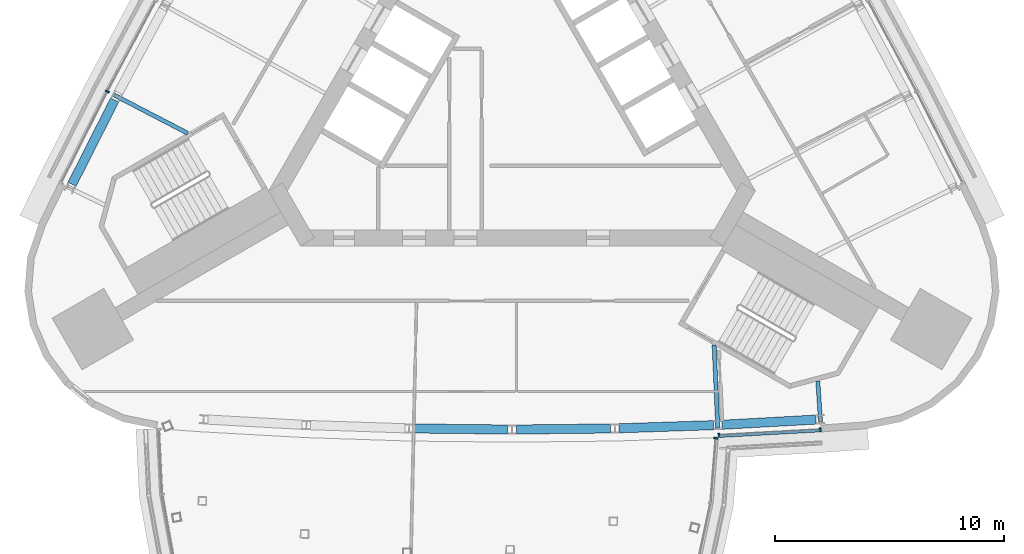
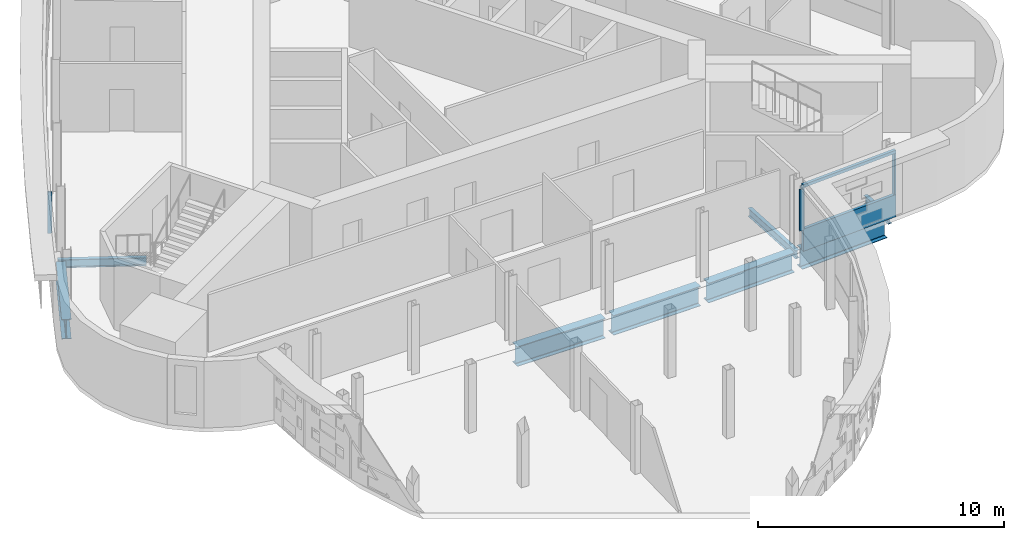
# One storey, part 4 of 14: 8 beams, 6 members, 3 elements without a shape of their own.
"""IFC4 building model written with IfcOpenShell, lengths in metres."""

from ifc_helpers import new_model, si_unit, direction, frame, origin, origin_2d, place, context, subcontext, project, spatial, polyline, rectangle, i_section, outline, extrude, material, material_profile, profile_set, type_object, element, aggregate, save


model = new_model("IFC4")

# Units and contexts
model_context = context("Model", 3, precision=1e-05, world=origin(), true_north=direction((0.0, 1.0)))
body_context = subcontext(model_context, "Body", "Model", "MODEL_VIEW")
ifc_project = project(units=[si_unit("LENGTHUNIT", "METRE"), si_unit("AREAUNIT", "SQUARE_METRE"), si_unit("VOLUMEUNIT", "CUBIC_METRE"), si_unit("PLANEANGLEUNIT", "RADIAN"), si_unit("MASSUNIT", "GRAM", prefix="KILO")], contexts=[model_context])

# Site, building, storey
site_placement = place(None, origin())
site = spatial("IfcSite", under=ifc_project, at=site_placement, CompositionType="ELEMENT")
building_placement = place(site_placement, origin())
building = spatial("IfcBuilding", under=site, at=building_placement, Name="Noor Cloister Tower", CompositionType="ELEMENT")
storey_placement = place(building_placement, frame((0.0, 0.0, 214.800048828125)))
storey = spatial("IfcBuildingStorey", under=building, at=storey_placement, Name="L55", CompositionType="ELEMENT", Elevation=214.800048828125)

# Beams
ifc_material_1 = material(Name="Steel ASTM A992 Gr 50", Category="steel")
ifc_material_profile_1 = material_profile(ifc_material_1, i_section(OverallWidth=0.40087890625, OverallDepth=0.98291015625, WebThickness=0.0166015625, FlangeThickness=0.027099609375, FilletRadius=0.030029296875, at=origin_2d()), Name="W1000x296")
ifc_profile_set_1 = profile_set([ifc_material_profile_1], Name="Steel ASTM A992 Gr 50")
beam_type_1 = type_object("IfcBeamType", Name="Belt chord girder W1000x296", PredefinedType="BEAM", material=ifc_profile_set_1)
beam_1_placement = place(storey_placement, frame((-17.33740234375, -0.566162109375, -0.691650390625), z_axis=(-0.451362231773, -0.892340818146, 0.0), x_axis=(0.892340818146, -0.451362231773, 0.0)))
element("IfcBeam", 1, at=beam_1_placement, inside=storey, type_object=beam_type_1, Name="Spandrel beam NW 06 L55", PredefinedType="BEAM", context=body_context, shape_type="SweptSolid", body=[
    extrude(i_section(OverallWidth=0.40087890625, OverallDepth=0.98291015625, WebThickness=0.0166015625, FlangeThickness=0.027099609375, FilletRadius=0.030029296875, at=origin_2d()), origin(), (0.0, 0.0, 1.0), 4.114501953125),
])
for number, where, z_axis, x_axis, name in (
    (2, (-4.301025390625, -14.892822265625, -0.691650390625), (0.999938445661, -0.011095264305, 0.0), (0.011095264305, 0.999938445661, 0.0), "Spandrel beam S 03 L55"),
    (3, (0.1865234375, -14.9384765625, -0.691650390625), (0.999938445661, 0.011095264305, 0.0), (-0.011095264305, 0.999938445661, 0.0), "Spandrel beam S 04 L55"),
    (4, (4.673828125, -14.884765625, -0.691650390625), (0.999447866334, 0.033225930849, 0.0), (-0.033225930849, 0.999447866334, 0.0), "Spandrel beam S 05 L55"),
    (5, (9.158935546875, -14.7314453125, -0.691650390625), (0.998469831997, 0.055299137356, 0.0), (-0.055299137356, 0.998469831997, 0.0), "Spandrel beam S 06 L55"),
):
    element("IfcBeam", number, at=place(storey_placement, frame(where, z_axis=z_axis, x_axis=x_axis)), inside=storey, type_object=beam_type_1, Name=name, PredefinedType="BEAM", context=body_context, shape_type="SweptSolid", body=[
        extrude(i_section(OverallWidth=0.40087890625, OverallDepth=0.98291015625, WebThickness=0.0166015625, FlangeThickness=0.027099609375, FilletRadius=0.030029296875, at=origin_2d()), origin(), (0.0, 0.0, 1.0), 4.11474609375),
    ])

# Curtain wall, member
ifc_material_2 = material(Name="Aluminium 6063-T6 anodised", Category="aluminium")
curtain_wall_type_1 = type_object("IfcCurtainWallType", Name="Ribbon curtain wall, upper tower CW5", PredefinedType="NOTDEFINED", material=ifc_material_2)
curtain_wall_1_placement = place(storey_placement, origin())
curtain_wall_1 = element("IfcCurtainWall", 6, at=curtain_wall_1_placement, inside=storey, type_object=curtain_wall_type_1, Name="CW5 L55 S run 3", PredefinedType="NOTDEFINED")
ifc_material_3 = material(Name="Aluminium 6063-T6 anodised", Category="aluminium")
member_type_1 = type_object("IfcMemberType", Name="Head transom CW5 150", PredefinedType="USERDEFINED", material=ifc_material_3)
member_1_placement = place(storey_placement, frame((0.0, 0.0, 3.14990234375)))
member_1 = element("IfcMember", 7, at=member_1_placement, type_object=member_type_1, Name="CW5 head transom", ObjectType="TRANSOM", PredefinedType="USERDEFINED", context=body_context, shape_type="SweptSolid", body=[
    extrude(outline(polyline([(8.9970703125, -15.291259765625), (13.489990234375, -15.04248046875), (13.482421875, -14.902587890625), (8.9892578125, -15.151611328125), (8.9970703125, -15.291259765625)])), origin(), (0.0, 0.0, 1.0), 0.150146484375),
])

curtain_wall_2_placement = place(storey_placement, origin())
curtain_wall_2 = element("IfcCurtainWall", 8, at=curtain_wall_2_placement, inside=storey, type_object=curtain_wall_type_1, Name="CW5 L55 NW run 1", PredefinedType="NOTDEFINED")
ifc_material_4 = material(Name="Aluminium 6063-T6 anodised", Category="aluminium")
ifc_material_profile_2 = material_profile(ifc_material_4, rectangle(XDim=0.179931640625, YDim=0.070068359375, at=origin_2d()), Name="180 x 70 mullion")
ifc_profile_set_2 = profile_set([ifc_material_profile_2], Name="Aluminium 6063-T6 anodised")
member_type_2 = type_object("IfcMemberType", Name="Mullion CW5 70 x 180", PredefinedType="MULLION", material=ifc_profile_set_2)
member_2_placement = place(storey_placement, frame((-17.652587890625, -0.192138671875, 1.099853515625), z_axis=(0.0, 0.0, 1.0), x_axis=(0.887303238306, -0.461186473449, 0.0)))
member_2 = element("IfcMember", 9, at=member_2_placement, type_object=member_type_2, Name="CW5 mullion 6", PredefinedType="MULLION", context=body_context, shape_type="SweptSolid", body=[
    extrude(rectangle(XDim=0.179931640625, YDim=0.070068359375, at=origin_2d()), origin(), (0.0, 0.0, 1.0), 2.050048828125),
])
aggregate(curtain_wall_2, [member_2])

# Member
member_3_placement = place(storey_placement, frame((9.0263671875, -15.189453125, 1.099853515625), z_axis=(0.0, 0.0, 1.0), x_axis=(-0.055305354532, 0.998469487646, 0.0)))
member_3 = element("IfcMember", 10, at=member_3_placement, type_object=member_type_2, Name="CW5 mullion 1", PredefinedType="MULLION", context=body_context, shape_type="SweptSolid", body=[
    extrude(rectangle(XDim=0.179931640625, YDim=0.070068359375, at=origin_2d()), origin(), (0.0, 0.0, 1.0), 2.050048828125),
])

member_4_placement = place(storey_placement, frame((13.44970703125, -14.944580078125, 1.099853515625), z_axis=(0.0, 0.0, 1.0), x_axis=(-0.055305354532, 0.998469487646, 0.0)))
member_4 = element("IfcMember", 11, at=member_4_placement, type_object=member_type_2, Name="CW5 mullion 2", PredefinedType="MULLION", context=body_context, shape_type="SweptSolid", body=[
    extrude(rectangle(XDim=0.179931640625, YDim=0.070068359375, at=origin_2d()), origin(), (0.0, 0.0, 1.0), 2.050048828125),
])

# Curtain wall, member
ifc_material_5 = material(Name="Aluminium 6063-T6 anodised", Category="aluminium")
curtain_wall_type_2 = type_object("IfcCurtainWallType", Name="Sky bar curtain wall, upper bars CW6", PredefinedType="NOTDEFINED", material=ifc_material_5)
curtain_wall_3_placement = place(storey_placement, origin())
curtain_wall_3 = element("IfcCurtainWall", 12, at=curtain_wall_3_placement, inside=storey, type_object=curtain_wall_type_2, Name="CW6 L55 S sky bar run 2", PredefinedType="NOTDEFINED")
ifc_material_6 = material(Name="Aluminium 6063-T6 anodised", Category="aluminium")
ifc_material_profile_3 = material_profile(ifc_material_6, rectangle(XDim=0.179931640625, YDim=0.070068359375, at=origin_2d()), Name="180 x 70 mullion")
ifc_profile_set_3 = profile_set([ifc_material_profile_3], Name="Aluminium 6063-T6 anodised")
member_type_3 = type_object("IfcMemberType", Name="Mullion CW6 70 x 180", PredefinedType="MULLION", material=ifc_profile_set_3)
member_5_placement = place(storey_placement, frame((8.89453125, -15.318115234375, 1.099853515625), z_axis=(0.0, 0.0, 1.0), x_axis=(-0.996727566111, 0.080834144736, 0.0)))
member_5 = element("IfcMember", 13, at=member_5_placement, type_object=member_type_3, Name="CW6 mullion 19", PredefinedType="MULLION", context=body_context, shape_type="SweptSolid", body=[
    extrude(rectangle(XDim=0.179931640625, YDim=0.070068359375, at=origin_2d()), origin(), (0.0, 0.0, 1.0), 2.050048828125),
])
aggregate(curtain_wall_3, [member_5])

# Beams
ifc_material_7 = material(Name="Steel ASTM A992 Gr 50", Category="steel")
ifc_material_profile_4 = material_profile(ifc_material_7, i_section(OverallWidth=0.177978515625, OverallDepth=0.406005859375, WebThickness=0.0078125, FlangeThickness=0.0126953125, FilletRadius=0.01025390625, at=origin_2d()), Name="W410x60")
ifc_profile_set_4 = profile_set([ifc_material_profile_4], Name="Steel ASTM A992 Gr 50")
beam_type_2 = type_object("IfcBeamType", Name="Radial beam W410x60", PredefinedType="BEAM", material=ifc_profile_set_4)
beam_2_placement = place(storey_placement, frame((-17.356201171875, -0.34619140625, -0.403076171875), z_axis=(0.887295423172, -0.461201509124, 0.0), x_axis=(0.461201509124, 0.887295423172, 0.0)))
element("IfcBeam", 14, at=beam_2_placement, inside=storey, type_object=beam_type_2, Name="Radial beam NW 06 L55", PredefinedType="BEAM", context=body_context, shape_type="SweptSolid", body=[
    extrude(i_section(OverallWidth=0.177978515625, OverallDepth=0.406005859375, WebThickness=0.0078125, FlangeThickness=0.0126953125, FilletRadius=0.01025390625, at=origin_2d()), origin(), (0.0, 0.0, 1.0), 3.609130859375),
])
beam_3_placement = place(storey_placement, frame((8.977783203125, -14.857666015625, -0.403076171875), z_axis=(-0.044241579343, 0.999020861973, 0.0), x_axis=(-0.999020861973, -0.044241579343, 0.0)))
element("IfcBeam", 15, at=beam_3_placement, inside=storey, type_object=beam_type_2, Name="Radial beam S 06 L55", PredefinedType="BEAM", context=body_context, shape_type="SweptSolid", body=[
    extrude(i_section(OverallWidth=0.177978515625, OverallDepth=0.406005859375, WebThickness=0.0078125, FlangeThickness=0.0126953125, FilletRadius=0.01025390625, at=origin_2d()), origin(), (0.0, 0.0, 1.0), 3.60888671875),
])
beam_4_placement = place(storey_placement, frame((13.461181640625, -14.609375, -0.403076171875), z_axis=(-0.066329561589, 0.997797769721, 0.0), x_axis=(-0.997797769721, -0.066329561589, 0.0)))
element("IfcBeam", 16, at=beam_4_placement, inside=storey, type_object=beam_type_2, Name="Radial beam S 07 L55", PredefinedType="BEAM", context=body_context, shape_type="SweptSolid", body=[
    extrude(i_section(OverallWidth=0.177978515625, OverallDepth=0.406005859375, WebThickness=0.0078125, FlangeThickness=0.0126953125, FilletRadius=0.01025390625, at=origin_2d()), origin(), (0.0, 0.0, 1.0), 1.796142578125),
])

# Member
ifc_material_8 = material(Name="Aluminium 6063-T6 anodised", Category="aluminium")
member_type_4 = type_object("IfcMemberType", Name="Sill transom CW5 1100", PredefinedType="USERDEFINED", material=ifc_material_8)
member_6_placement = place(storey_placement, origin())
member_6 = element("IfcMember", 17, at=member_6_placement, type_object=member_type_4, Name="CW5 sill transom", ObjectType="TRANSOM", PredefinedType="USERDEFINED", context=body_context, shape_type="SweptSolid", body=[
    extrude(outline(polyline([(8.9970703125, -15.291259765625), (13.489990234375, -15.04248046875), (13.482421875, -14.902587890625), (8.9892578125, -15.151611328125), (8.9970703125, -15.291259765625)])), origin(), (0.0, 0.0, 1.0), 1.099853515625),
])

aggregate(curtain_wall_1, [member_3, member_4, member_6, member_1])

save(model, "model.ifc")
